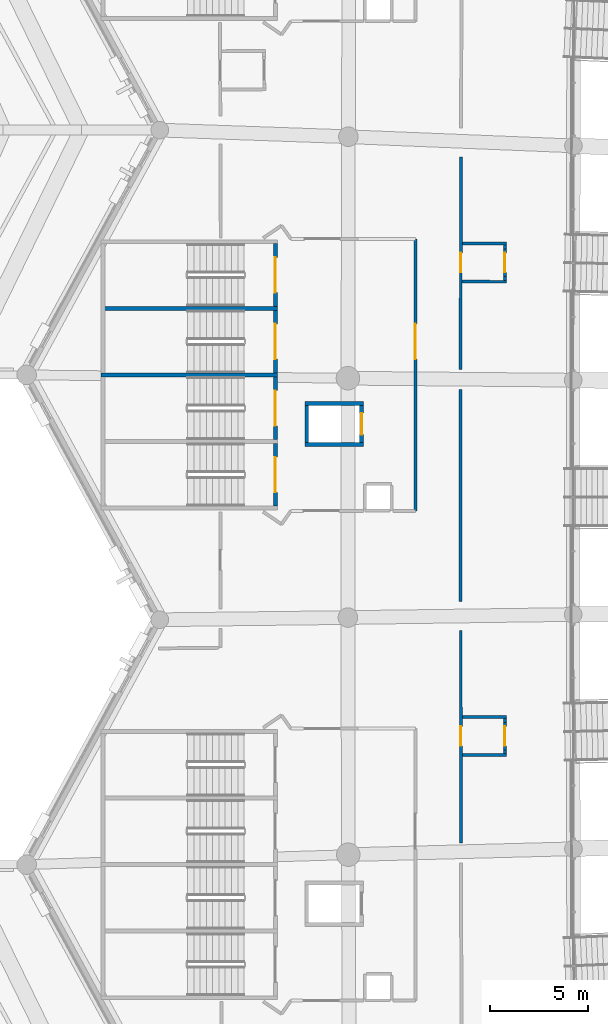
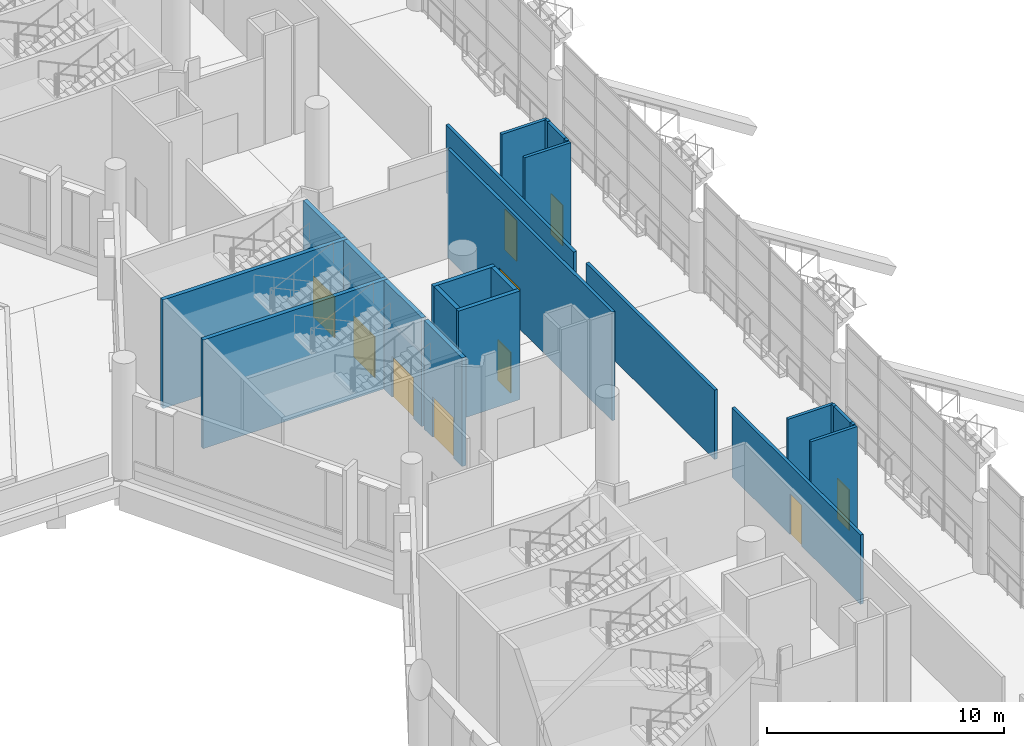
# One storey, part 50 of 173: 24 walls, 10 doors, 10 openings.
"""IFC4 building model written with IfcOpenShell, lengths in metres."""

from ifc_helpers import new_model, si_unit, direction, frame, frame_2d, origin, place, context, subcontext, project, spatial, rectangle, extrude, material, layer, layer_set, type_object, element, fill, save


model = new_model("IFC4")

# Units and contexts
model_context = context("Model", 3, precision=1e-05, world=origin(), true_north=direction((0.0, 1.0)))
body_context = subcontext(model_context, "Body", "Model", "MODEL_VIEW")
ifc_project = project(units=[si_unit("LENGTHUNIT", "METRE"), si_unit("AREAUNIT", "SQUARE_METRE"), si_unit("VOLUMEUNIT", "CUBIC_METRE"), si_unit("PLANEANGLEUNIT", "RADIAN"), si_unit("MASSUNIT", "GRAM", prefix="KILO")], contexts=[model_context])

# Site, building, storey
site_placement = place(None, origin())
site = spatial("IfcSite", under=ifc_project, at=site_placement, CompositionType="ELEMENT")
building_placement = place(site_placement, origin())
building = spatial("IfcBuilding", under=site, at=building_placement, Name="Meseta Stadium", CompositionType="ELEMENT")
storey_placement = place(building_placement, frame((0.0, 0.0, 18.0)))
storey = spatial("IfcBuildingStorey", under=building, at=storey_placement, Name="L03", CompositionType="ELEMENT", Elevation=18.0)

# Walls
ifc_material_1 = material(Name="Concrete C40/50", Category="concrete")
ifc_layer_1 = layer(ifc_material_1, 0.199951171875)
ifc_layer_set_1 = layer_set([ifc_layer_1], Name="Core divider wall 200")
wall_type_1 = type_object("IfcWallType", Name="Core divider wall 200", PredefinedType="SHEAR", material=ifc_layer_set_1)
wall_1_placement = place(storey_placement, frame((-97.60009765625, 9.64990234375, 0.0), z_axis=(0.0, 0.0, 1.0), x_axis=(1.0, 0.0, 0.0)))
element("IfcWall", 1, at=wall_1_placement, inside=storey, type_object=wall_type_1, Name="Core 17 L03 stair A divider wall", PredefinedType="SHEAR", context=body_context, shape_type="SweptSolid", body=[
    extrude(rectangle(XDim=9.0, YDim=0.199951171875, at=frame_2d((4.5, 0.0))), origin(), (0.0, 0.0, 1.0), 5.60009765625),
])
ifc_material_2 = material(Name="Concrete C40/50", Category="concrete")
ifc_layer_2 = layer(ifc_material_2, 0.199951171875)
ifc_layer_set_2 = layer_set([ifc_layer_2], Name="Core shaft wall 200")
wall_type_2 = type_object("IfcWallType", Name="Core shaft wall 200", PredefinedType="SHEAR", material=ifc_layer_set_2)
wall_2_placement = place(storey_placement, frame((-97.60009765625, 6.25, 0.0), z_axis=(0.0, 0.0, 1.0), x_axis=(1.0, 0.0, 0.0)))
element("IfcWall", 2, at=wall_2_placement, inside=storey, type_object=wall_type_2, Name="Core 17 L03 stair wall shared", PredefinedType="SHEAR", context=body_context, shape_type="SweptSolid", body=[
    extrude(rectangle(XDim=9.0, YDim=0.199951171875, at=frame_2d((4.5, 0.0))), origin(), (0.0, 0.0, 1.0), 5.60009765625),
])

# Wall, opening, door
wall_3_placement = place(storey_placement, frame((-88.699951171875, 12.949951171875, 0.0), z_axis=(0.0, 0.0, 1.0), x_axis=(0.0, -1.0, 0.0)))
wall_3 = element("IfcWall", 3, at=wall_3_placement, inside=storey, type_object=wall_type_2, Name="Core 17 L03 stair A1 inner end wall", PredefinedType="SHEAR", context=body_context, shape_type="SweptSolid", body=[
    extrude(rectangle(XDim=3.199951171875, YDim=0.199951171875, at=frame_2d((1.60009765625, 0.0))), origin(), (0.0, 0.0, 1.0), 5.60009765625),
])
opening_1_placement = place(wall_3_placement, frame((0.699951171875, 0.0, 0.0)))
opening_1 = element("IfcOpeningElement", 4, at=opening_1_placement, cuts=wall_3, Name="Opening D1286", PredefinedType="OPENING", context=body_context, shape_type="SweptSolid", body=[
    extrude(rectangle(XDim=1.800048828125, YDim=2.10009765625, at=frame_2d((0.89990234375, 1.050048828125))), frame((0.0, 0.10986328125, 0.0), z_axis=(0.0, -1.0, 0.0), x_axis=(1.0, 0.0, 0.0)), (0.0, 0.0, 1.0), 0.219970703125),
])
ifc_material_3 = material(Name="Steel", Category="steel")
door_type_1 = type_object("IfcDoorType", Name="Stair door 1800x2100", OperationType="DOUBLE_DOOR_SINGLE_SWING", PredefinedType="DOOR", material=ifc_material_3)
door_1_placement = place(opening_1_placement, origin())
door_1 = element("IfcDoor", 5, at=door_1_placement, inside=storey, type_object=door_type_1, Name="Stair A1 door 17 L03", OperationType="DOUBLE_DOOR_SINGLE_SWING", OverallHeight=2.10009765625, OverallWidth=1.800048828125, PredefinedType="DOOR", context=body_context, shape_type="SweptSolid", body=[
    extrude(rectangle(XDim=1.800048828125, YDim=2.10009765625, at=frame_2d((0.89990234375, 1.050048828125))), frame((0.0, 0.02490234375, 0.0), z_axis=(0.0, -1.0, 0.0), x_axis=(1.0, 0.0, 0.0)), (0.0, 0.0, 1.0), 0.050048828125),
])
fill(opening_1, door_1)

wall_4_placement = place(storey_placement, frame((-88.699951171875, 9.550048828125, 0.0), z_axis=(0.0, 0.0, 1.0), x_axis=(0.0, -1.0, 0.0)))
wall_4 = element("IfcWall", 6, at=wall_4_placement, inside=storey, type_object=wall_type_2, Name="Core 17 L03 stair A2 inner end wall", PredefinedType="SHEAR", context=body_context, shape_type="SweptSolid", body=[
    extrude(rectangle(XDim=3.199951171875, YDim=0.199951171875, at=frame_2d((1.60009765625, 0.0))), origin(), (0.0, 0.0, 1.0), 5.60009765625),
])
opening_2_placement = place(wall_4_placement, frame((0.699951171875, 0.0, 0.0)))
opening_2 = element("IfcOpeningElement", 7, at=opening_2_placement, cuts=wall_4, Name="Opening D1285", PredefinedType="OPENING", context=body_context, shape_type="SweptSolid", body=[
    extrude(rectangle(XDim=1.800048828125, YDim=2.10009765625, at=frame_2d((0.89990234375, 1.050048828125))), frame((0.0, 0.10986328125, 0.0), z_axis=(0.0, -1.0, 0.0), x_axis=(1.0, 0.0, 0.0)), (0.0, 0.0, 1.0), 0.219970703125),
])
door_2_placement = place(opening_2_placement, origin())
door_2 = element("IfcDoor", 8, at=door_2_placement, inside=storey, type_object=door_type_1, Name="Stair A2 door 17 L03", OperationType="DOUBLE_DOOR_SINGLE_SWING", OverallHeight=2.10009765625, OverallWidth=1.800048828125, PredefinedType="DOOR", context=body_context, shape_type="SweptSolid", body=[
    extrude(rectangle(XDim=1.800048828125, YDim=2.10009765625, at=frame_2d((0.89990234375, 1.050048828125))), frame((0.0, 0.02490234375, 0.0), z_axis=(0.0, -1.0, 0.0), x_axis=(1.0, 0.0, 0.0)), (0.0, 0.0, 1.0), 0.050048828125),
])
fill(opening_2, door_2)

wall_5_placement = place(storey_placement, frame((-88.699951171875, 6.14990234375, 0.0), z_axis=(0.0, 0.0, 1.0), x_axis=(0.0, -1.0, 0.0)))
wall_5 = element("IfcWall", 9, at=wall_5_placement, inside=storey, type_object=wall_type_2, Name="Core 17 L03 stair B1 inner end wall", PredefinedType="SHEAR", context=body_context, shape_type="SweptSolid", body=[
    extrude(rectangle(XDim=3.199951171875, YDim=0.199951171875, at=frame_2d((1.60009765625, 0.0))), origin(), (0.0, 0.0, 1.0), 5.60009765625),
])
opening_3_placement = place(wall_5_placement, frame((0.699951171875, 0.0, 0.0)))
opening_3 = element("IfcOpeningElement", 10, at=opening_3_placement, cuts=wall_5, Name="Opening D1284", PredefinedType="OPENING", context=body_context, shape_type="SweptSolid", body=[
    extrude(rectangle(XDim=1.800048828125, YDim=2.10009765625, at=frame_2d((0.89990234375, 1.050048828125))), frame((0.0, 0.10986328125, 0.0), z_axis=(0.0, -1.0, 0.0), x_axis=(1.0, 0.0, 0.0)), (0.0, 0.0, 1.0), 0.219970703125),
])
door_3_placement = place(opening_3_placement, origin())
door_3 = element("IfcDoor", 11, at=door_3_placement, inside=storey, type_object=door_type_1, Name="Stair B1 door 17 L03", OperationType="DOUBLE_DOOR_SINGLE_SWING", OverallHeight=2.10009765625, OverallWidth=1.800048828125, PredefinedType="DOOR", context=body_context, shape_type="SweptSolid", body=[
    extrude(rectangle(XDim=1.800048828125, YDim=2.10009765625, at=frame_2d((0.89990234375, 1.050048828125))), frame((0.0, 0.02490234375, 0.0), z_axis=(0.0, -1.0, 0.0), x_axis=(1.0, 0.0, 0.0)), (0.0, 0.0, 1.0), 0.050048828125),
])
fill(opening_3, door_3)

wall_6_placement = place(storey_placement, frame((-88.699951171875, 2.75, 0.0), z_axis=(0.0, 0.0, 1.0), x_axis=(0.0, -1.0, 0.0)))
wall_6 = element("IfcWall", 12, at=wall_6_placement, inside=storey, type_object=wall_type_2, Name="Core 17 L03 stair B2 inner end wall", PredefinedType="SHEAR", context=body_context, shape_type="SweptSolid", body=[
    extrude(rectangle(XDim=3.199951171875, YDim=0.199951171875, at=frame_2d((1.60009765625, 0.0))), origin(), (0.0, 0.0, 1.0), 5.60009765625),
])
opening_4_placement = place(wall_6_placement, frame((0.699951171875, 0.0, 0.0)))
opening_4 = element("IfcOpeningElement", 13, at=opening_4_placement, cuts=wall_6, Name="Opening D1283", PredefinedType="OPENING", context=body_context, shape_type="SweptSolid", body=[
    extrude(rectangle(XDim=1.800048828125, YDim=2.10009765625, at=frame_2d((0.89990234375, 1.050048828125))), frame((0.0, 0.10986328125, 0.0), z_axis=(0.0, -1.0, 0.0), x_axis=(1.0, 0.0, 0.0)), (0.0, 0.0, 1.0), 0.219970703125),
])
door_4_placement = place(opening_4_placement, origin())
door_4 = element("IfcDoor", 14, at=door_4_placement, inside=storey, type_object=door_type_1, Name="Stair B2 door 17 L03", OperationType="DOUBLE_DOOR_SINGLE_SWING", OverallHeight=2.10009765625, OverallWidth=1.800048828125, PredefinedType="DOOR", context=body_context, shape_type="SweptSolid", body=[
    extrude(rectangle(XDim=1.800048828125, YDim=2.10009765625, at=frame_2d((0.89990234375, 1.050048828125))), frame((0.0, 0.02490234375, 0.0), z_axis=(0.0, -1.0, 0.0), x_axis=(1.0, 0.0, 0.0)), (0.0, 0.0, 1.0), 0.050048828125),
])
fill(opening_4, door_4)

# Walls
for number, where, z_axis, x_axis, name in (
    (15, (-87.199951171875, 4.800048828125, 0.0), (0.0, 0.0, 1.0), (1.0, 0.0, 0.0), "Core 17 L03 lift shaft wall left"),
    (16, (-87.199951171875, 2.699951171875, 0.0), (0.0, 0.0, 1.0), (1.0, 0.0, 0.0), "Core 17 L03 lift shaft wall right"),
):
    element("IfcWall", number, at=place(storey_placement, frame(where, z_axis=z_axis, x_axis=x_axis)), inside=storey, type_object=wall_type_2, Name=name, PredefinedType="SHEAR", context=body_context, shape_type="SweptSolid", body=[
        extrude(rectangle(XDim=3.0, YDim=0.199951171875, at=frame_2d((1.5, 0.0))), origin(), (0.0, 0.0, 1.0), 5.60009765625),
    ])
wall_7_placement = place(storey_placement, frame((-87.10009765625, 4.699951171875, 0.0), z_axis=(0.0, 0.0, 1.0), x_axis=(0.0, -1.0, 0.0)))
element("IfcWall", 17, at=wall_7_placement, inside=storey, type_object=wall_type_2, Name="Core 17 L03 lift shaft back wall", PredefinedType="SHEAR", context=body_context, shape_type="SweptSolid", body=[
    extrude(rectangle(XDim=1.89990234375, YDim=0.199951171875, at=frame_2d((0.949951171875, 0.0))), origin(), (0.0, 0.0, 1.0), 5.60009765625),
])

# Wall, opening, door
wall_8_placement = place(storey_placement, frame((-84.300048828125, 4.699951171875, 0.0), z_axis=(0.0, 0.0, 1.0), x_axis=(0.0, -1.0, 0.0)))
wall_8 = element("IfcWall", 18, at=wall_8_placement, inside=storey, type_object=wall_type_2, Name="Core 17 L03 lift shaft front wall", PredefinedType="SHEAR", context=body_context, shape_type="SweptSolid", body=[
    extrude(rectangle(XDim=1.89990234375, YDim=0.199951171875, at=frame_2d((0.949951171875, 0.0))), origin(), (0.0, 0.0, 1.0), 5.60009765625),
])
opening_5_placement = place(wall_8_placement, frame((0.39990234375, 0.0, 0.0)))
opening_5 = element("IfcOpeningElement", 19, at=opening_5_placement, cuts=wall_8, Name="Opening LD95", PredefinedType="OPENING", context=body_context, shape_type="SweptSolid", body=[
    extrude(rectangle(XDim=1.10009765625, YDim=2.10009765625, at=frame_2d((0.550048828125, 1.050048828125))), frame((0.0, 0.10986328125, 0.0), z_axis=(0.0, -1.0, 0.0), x_axis=(1.0, 0.0, 0.0)), (0.0, 0.0, 1.0), 0.219970703125),
])
ifc_material_4 = material(Name="Steel", Category="steel")
door_type_2 = type_object("IfcDoorType", Name="Lift landing door 1100x2100", OperationType="SLIDING_TO_LEFT", PredefinedType="DOOR", material=ifc_material_4)
door_5_placement = place(opening_5_placement, origin())
door_5 = element("IfcDoor", 20, at=door_5_placement, inside=storey, type_object=door_type_2, Name="Lift landing door LD95", OperationType="SLIDING_TO_LEFT", OverallHeight=2.10009765625, OverallWidth=1.10009765625, PredefinedType="DOOR", context=body_context, shape_type="SweptSolid", body=[
    extrude(rectangle(XDim=1.10009765625, YDim=2.10009765625, at=frame_2d((0.550048828125, 1.050048828125))), frame((0.0, 0.02490234375, 0.0), z_axis=(0.0, -1.0, 0.0), x_axis=(1.0, 0.0, 0.0)), (0.0, 0.0, 1.0), 0.050048828125),
])
fill(opening_5, door_5)

ifc_material_5 = material(Name="Masonry blockwork", Category="masonry")
ifc_layer_3 = layer(ifc_material_5, 0.14990234375)
ifc_layer_set_3 = layer_set([ifc_layer_3], Name="Partition 150")
wall_type_3 = type_object("IfcWallType", Name="Partition 150", PredefinedType="PARTITIONING", material=ifc_layer_set_3)
wall_9_placement = place(storey_placement, frame((-79.24658203125, 6.53662109375, 0.0), z_axis=(0.0, 0.0, 1.0), x_axis=(0.002276512155, 0.999997408743, 0.0)))
wall_9 = element("IfcWall", 21, at=wall_9_placement, inside=storey, type_object=wall_type_3, Name="Partition L03 L03-cell15-0-0", PredefinedType="PARTITIONING", context=body_context, shape_type="SweptSolid", body=[
    extrude(rectangle(XDim=10.83154296875, YDim=0.14990234375, at=frame_2d((5.415771484375, 0.0))), origin(), (0.0, 0.0, 1.0), 3.49853515625),
])
opening_6_placement = place(wall_9_placement, frame((4.949951171875, 0.0, 0.0)))
opening_6 = element("IfcOpeningElement", 22, at=opening_6_placement, cuts=wall_9, Name="Opening D1327", PredefinedType="OPENING", context=body_context, shape_type="SweptSolid", body=[
    extrude(rectangle(XDim=1.0, YDim=2.10009765625, at=frame_2d((0.5, 1.050048828125))), frame((0.0, 0.0849609375, 0.0), z_axis=(0.0, -1.0, 0.0), x_axis=(1.0, 0.0, 0.0)), (0.0, 0.0, 1.0), 0.169921875),
])
ifc_material_6 = material(Name="Steel", Category="steel")
door_type_3 = type_object("IfcDoorType", Name="Fire door 1000x2100 EI2 60", OperationType="NOTDEFINED", PredefinedType="DOOR", material=ifc_material_6)
door_6_placement = place(opening_6_placement, origin())
door_6 = element("IfcDoor", 23, at=door_6_placement, inside=storey, type_object=door_type_3, Name="Room door L03 L03-cell15-0-0", OperationType="SINGLE_SWING_LEFT", OverallHeight=2.10009765625, OverallWidth=1.0, PredefinedType="DOOR", context=body_context, shape_type="SweptSolid", body=[
    extrude(rectangle(XDim=1.0, YDim=2.10009765625, at=frame_2d((0.5, 1.050048828125))), frame((0.0, 0.02490234375, 0.0), z_axis=(0.0, -1.0, 0.0), x_axis=(1.0, 0.0, 0.0)), (0.0, 0.0, 1.0), 0.050048828125),
])
fill(opening_6, door_6)

wall_10_placement = place(storey_placement, frame((-79.229736328125, -17.64013671875, 0.0), z_axis=(0.0, 0.0, 1.0), x_axis=(-0.0007662833, 0.999999706405, 0.0)))
wall_10 = element("IfcWall", 24, at=wall_10_placement, inside=storey, type_object=wall_type_3, Name="Partition L03 L03-cell16-0-0", PredefinedType="PARTITIONING", context=body_context, shape_type="SweptSolid", body=[
    extrude(rectangle(XDim=10.83251953125, YDim=0.14990234375, at=frame_2d((5.416259765625, 0.0))), origin(), (0.0, 0.0, 1.0), 3.574462890625),
])
opening_7_placement = place(wall_10_placement, frame((4.949951171875, 0.0, 0.0)))
opening_7 = element("IfcOpeningElement", 25, at=opening_7_placement, cuts=wall_10, Name="Opening D1326", PredefinedType="OPENING", context=body_context, shape_type="SweptSolid", body=[
    extrude(rectangle(XDim=1.0, YDim=2.10009765625, at=frame_2d((0.5, 1.050048828125))), frame((0.0, 0.0849609375, 0.0), z_axis=(0.0, -1.0, 0.0), x_axis=(1.0, 0.0, 0.0)), (0.0, 0.0, 1.0), 0.169921875),
])
door_7_placement = place(opening_7_placement, origin())
door_7 = element("IfcDoor", 26, at=door_7_placement, inside=storey, type_object=door_type_3, Name="Room door L03 L03-cell16-0-0", OperationType="SINGLE_SWING_LEFT", OverallHeight=2.10009765625, OverallWidth=1.0, PredefinedType="DOOR", context=body_context, shape_type="SweptSolid", body=[
    extrude(rectangle(XDim=1.0, YDim=2.10009765625, at=frame_2d((0.5, 1.050048828125))), frame((0.0, 0.02490234375, 0.0), z_axis=(0.0, -1.0, 0.0), x_axis=(1.0, 0.0, 0.0)), (0.0, 0.0, 1.0), 0.050048828125),
])
fill(opening_7, door_7)

# Wall
wall_11_placement = place(storey_placement, frame((-79.239013671875, -5.33056640625, 0.0), z_axis=(0.0, 0.0, 1.0), x_axis=(-0.0007662833, 0.999999706405, 0.0)))
element("IfcWall", 27, at=wall_11_placement, inside=storey, type_object=wall_type_3, Name="Partition L03 L03-cell16-0-0", PredefinedType="PARTITIONING", context=body_context, shape_type="SweptSolid", body=[
    extrude(rectangle(XDim=10.83251953125, YDim=0.14990234375, at=frame_2d((5.416259765625, 0.0))), origin(), (0.0, 0.0, 1.0), 3.574462890625),
])

# Wall, opening, door
wall_12_placement = place(storey_placement, frame((-81.554931640625, -0.695068359375, 0.0), z_axis=(0.0, 0.0, 1.0), x_axis=(0.0, 1.0, 0.0)))
wall_12 = element("IfcWall", 28, at=wall_12_placement, inside=storey, type_object=wall_type_3, Name="Stair vestibule wall L03 core 17", PredefinedType="PARTITIONING", context=body_context, shape_type="SweptSolid", body=[
    extrude(rectangle(XDim=13.89013671875, YDim=0.14990234375, at=frame_2d((6.945068359375, 0.0))), origin(), (0.0, 0.0, 1.0), 5.60009765625),
])
opening_8_placement = place(wall_12_placement, frame((7.75, 0.0, 0.0)))
opening_8 = element("IfcOpeningElement", 29, at=opening_8_placement, cuts=wall_12, Name="Opening D1318", PredefinedType="OPENING", context=body_context, shape_type="SweptSolid", body=[
    extrude(rectangle(XDim=1.800048828125, YDim=2.10009765625, at=frame_2d((0.89990234375, 1.050048828125))), frame((0.0, 0.0849609375, 0.0), z_axis=(0.0, -1.0, 0.0), x_axis=(1.0, 0.0, 0.0)), (0.0, 0.0, 1.0), 0.169921875),
])
ifc_material_7 = material(Name="Steel", Category="steel")
door_type_4 = type_object("IfcDoorType", Name="Fire double door 1800x2100 EI2 60", OperationType="DOUBLE_DOOR_SINGLE_SWING", PredefinedType="DOOR", material=ifc_material_7)
door_8_placement = place(opening_8_placement, origin())
door_8 = element("IfcDoor", 30, at=door_8_placement, inside=storey, type_object=door_type_4, Name="Stair vestibule door L03 core 17", OperationType="DOUBLE_DOOR_SINGLE_SWING", OverallHeight=2.10009765625, OverallWidth=1.800048828125, PredefinedType="DOOR", context=body_context, shape_type="SweptSolid", body=[
    extrude(rectangle(XDim=1.800048828125, YDim=2.10009765625, at=frame_2d((0.89990234375, 1.050048828125))), frame((0.0, 0.02490234375, 0.0), z_axis=(0.0, -1.0, 0.0), x_axis=(1.0, 0.0, 0.0)), (0.0, 0.0, 1.0), 0.050048828125),
])
fill(opening_8, door_8)

# Walls
wall_13_placement = place(storey_placement, frame((-79.16162109375, 11.011474609375, 0.0), z_axis=(0.0, 0.0, 1.0), x_axis=(0.999997403897, -0.002278639918, 0.0)))
element("IfcWall", 31, at=wall_13_placement, inside=storey, type_object=wall_type_3, Name="Partition L03 L03-cell15-0-0 vestibule", PredefinedType="PARTITIONING", context=body_context, shape_type="SweptSolid", body=[
    extrude(rectangle(XDim=2.25, YDim=0.14990234375, at=frame_2d((1.125, 0.0))), origin(), (0.0, 0.0, 1.0), 5.636474609375),
])
wall_14_placement = place(storey_placement, frame((-79.156982421875, 12.96142578125, 0.0), z_axis=(0.0, 0.0, 1.0), x_axis=(0.999997403897, -0.002278639918, 0.0)))
element("IfcWall", 32, at=wall_14_placement, inside=storey, type_object=wall_type_3, Name="Partition L03 L03-cell15-0-0 vestibule", PredefinedType="PARTITIONING", context=body_context, shape_type="SweptSolid", body=[
    extrude(rectangle(XDim=2.25, YDim=0.14990234375, at=frame_2d((1.125, 0.0))), origin(), (0.0, 0.0, 1.0), 5.660400390625),
])
wall_15_placement = place(storey_placement, frame((-76.986328125, 11.08154296875, 0.0), z_axis=(0.0, 0.0, 1.0), x_axis=(0.002441995161, 0.999997018325, 0.0)))
element("IfcWall", 33, at=wall_15_placement, inside=storey, type_object=wall_type_3, Name="Partition L03 L03-cell15-0-0 vestibule", PredefinedType="PARTITIONING", context=body_context, shape_type="SweptSolid", body=[
    extrude(rectangle(XDim=0.199951171875, YDim=0.14990234375, at=frame_2d((0.10009765625, 0.0))), origin(), (0.0, 0.0, 1.0), 5.684326171875),
])

# Wall, opening, door
wall_16_placement = place(storey_placement, frame((-76.98583984375, 11.281494140625, 0.0), z_axis=(0.0, 0.0, 1.0), x_axis=(0.002266777088, 0.999997430858, 0.0)))
wall_16 = element("IfcWall", 34, at=wall_16_placement, inside=storey, type_object=wall_type_3, Name="Partition L03 L03-cell15-0-0 vestibule", PredefinedType="PARTITIONING", context=body_context, shape_type="SweptSolid", body=[
    extrude(rectangle(XDim=1.400146484375, YDim=0.14990234375, at=frame_2d((0.7001953125, 0.0))), origin(), (0.0, 0.0, 1.0), 5.686767578125),
])
opening_9_placement = place(wall_16_placement, frame((0.199951171875, 0.0, 0.0)))
opening_9 = element("IfcOpeningElement", 35, at=opening_9_placement, cuts=wall_16, Name="Opening D1335", PredefinedType="OPENING", context=body_context, shape_type="SweptSolid", body=[
    extrude(rectangle(XDim=1.0, YDim=2.10009765625, at=frame_2d((0.5, 1.050048828125))), frame((0.0, 0.0849609375, 0.0), z_axis=(0.0, -1.0, 0.0), x_axis=(1.0, 0.0, 0.0)), (0.0, 0.0, 1.0), 0.169921875),
])
door_9_placement = place(opening_9_placement, origin())
door_9 = element("IfcDoor", 36, at=door_9_placement, inside=storey, type_object=door_type_3, Name="Vestibule door L03 L03-cell15-0-0", OperationType="SINGLE_SWING_LEFT", OverallHeight=2.10009765625, OverallWidth=1.0, PredefinedType="DOOR", context=body_context, shape_type="SweptSolid", body=[
    extrude(rectangle(XDim=1.0, YDim=2.10009765625, at=frame_2d((0.5, 1.050048828125))), frame((0.0, 0.02490234375, 0.0), z_axis=(0.0, -1.0, 0.0), x_axis=(1.0, 0.0, 0.0)), (0.0, 0.0, 1.0), 0.050048828125),
])
fill(opening_9, door_9)

# Walls
wall_17_placement = place(storey_placement, frame((-76.982666015625, 12.681640625, 0.0), z_axis=(0.0, 0.0, 1.0), x_axis=(0.002441995161, 0.999997018325, 0.0)))
element("IfcWall", 37, at=wall_17_placement, inside=storey, type_object=wall_type_3, Name="Partition L03 L03-cell15-0-0 vestibule", PredefinedType="PARTITIONING", context=body_context, shape_type="SweptSolid", body=[
    extrude(rectangle(XDim=0.199951171875, YDim=0.14990234375, at=frame_2d((0.10009765625, 0.0))), origin(), (0.0, 0.0, 1.0), 5.703857421875),
])
wall_18_placement = place(storey_placement, frame((-79.158203125, -13.1650390625, 0.0), z_axis=(0.0, 0.0, 1.0), x_axis=(0.999999711543, 0.000759548392, 0.0)))
element("IfcWall", 38, at=wall_18_placement, inside=storey, type_object=wall_type_3, Name="Partition L03 L03-cell16-0-0 vestibule", PredefinedType="PARTITIONING", context=body_context, shape_type="SweptSolid", body=[
    extrude(rectangle(XDim=2.25, YDim=0.14990234375, at=frame_2d((1.125, 0.0))), origin(), (0.0, 0.0, 1.0), 5.6640625),
])
wall_19_placement = place(storey_placement, frame((-79.15966796875, -11.215087890625, 0.0), z_axis=(0.0, 0.0, 1.0), x_axis=(0.999999711543, 0.000759548392, 0.0)))
element("IfcWall", 39, at=wall_19_placement, inside=storey, type_object=wall_type_3, Name="Partition L03 L03-cell16-0-0 vestibule", PredefinedType="PARTITIONING", context=body_context, shape_type="SweptSolid", body=[
    extrude(rectangle(XDim=2.25, YDim=0.14990234375, at=frame_2d((1.125, 0.0))), origin(), (0.0, 0.0, 1.0), 5.63818359375),
])
wall_20_placement = place(storey_placement, frame((-76.983154296875, -13.08837890625, 0.0), z_axis=(0.0, 0.0, 1.0), x_axis=(-0.001221000311, 0.999999254579, 0.0)))
element("IfcWall", 40, at=wall_20_placement, inside=storey, type_object=wall_type_3, Name="Partition L03 L03-cell16-0-0 vestibule", PredefinedType="PARTITIONING", context=body_context, shape_type="SweptSolid", body=[
    extrude(rectangle(XDim=0.199951171875, YDim=0.14990234375, at=frame_2d((0.10009765625, 0.0))), origin(), (0.0, 0.0, 1.0), 5.707275390625),
])

# Wall, opening, door
wall_21_placement = place(storey_placement, frame((-76.9833984375, -12.888427734375, 0.0), z_axis=(0.0, 0.0, 1.0), x_axis=(-0.000871991297, 0.999999619816, 0.0)))
wall_21 = element("IfcWall", 41, at=wall_21_placement, inside=storey, type_object=wall_type_3, Name="Partition L03 L03-cell16-0-0 vestibule", PredefinedType="PARTITIONING", context=body_context, shape_type="SweptSolid", body=[
    extrude(rectangle(XDim=1.39990234375, YDim=0.14990234375, at=frame_2d((0.699951171875, 0.0))), origin(), (0.0, 0.0, 1.0), 5.688720703125),
])
opening_10_placement = place(wall_21_placement, frame((0.199951171875, 0.0, 0.0)))
opening_10 = element("IfcOpeningElement", 42, at=opening_10_placement, cuts=wall_21, Name="Opening D1334", PredefinedType="OPENING", context=body_context, shape_type="SweptSolid", body=[
    extrude(rectangle(XDim=1.0, YDim=2.10009765625, at=frame_2d((0.5, 1.050048828125))), frame((0.0, 0.0849609375, 0.0), z_axis=(0.0, -1.0, 0.0), x_axis=(1.0, 0.0, 0.0)), (0.0, 0.0, 1.0), 0.169921875),
])
door_10_placement = place(opening_10_placement, origin())
door_10 = element("IfcDoor", 43, at=door_10_placement, inside=storey, type_object=door_type_3, Name="Vestibule door L03 L03-cell16-0-0", OperationType="SINGLE_SWING_LEFT", OverallHeight=2.10009765625, OverallWidth=1.0, PredefinedType="DOOR", context=body_context, shape_type="SweptSolid", body=[
    extrude(rectangle(XDim=1.0, YDim=2.10009765625, at=frame_2d((0.5, 1.050048828125))), frame((0.0, 0.02490234375, 0.0), z_axis=(0.0, -1.0, 0.0), x_axis=(1.0, 0.0, 0.0)), (0.0, 0.0, 1.0), 0.050048828125),
])
fill(opening_10, door_10)

# Wall
wall_22_placement = place(storey_placement, frame((-76.984619140625, -11.488525390625, 0.0), z_axis=(0.0, 0.0, 1.0), x_axis=(0.0, 1.0, 0.0)))
element("IfcWall", 44, at=wall_22_placement, inside=storey, type_object=wall_type_3, Name="Partition L03 L03-cell16-0-0 vestibule", PredefinedType="PARTITIONING", context=body_context, shape_type="SweptSolid", body=[
    extrude(rectangle(XDim=0.199951171875, YDim=0.14990234375, at=frame_2d((0.10009765625, 0.0))), origin(), (0.0, 0.0, 1.0), 5.68603515625),
])

save(model, "model.ifc")
